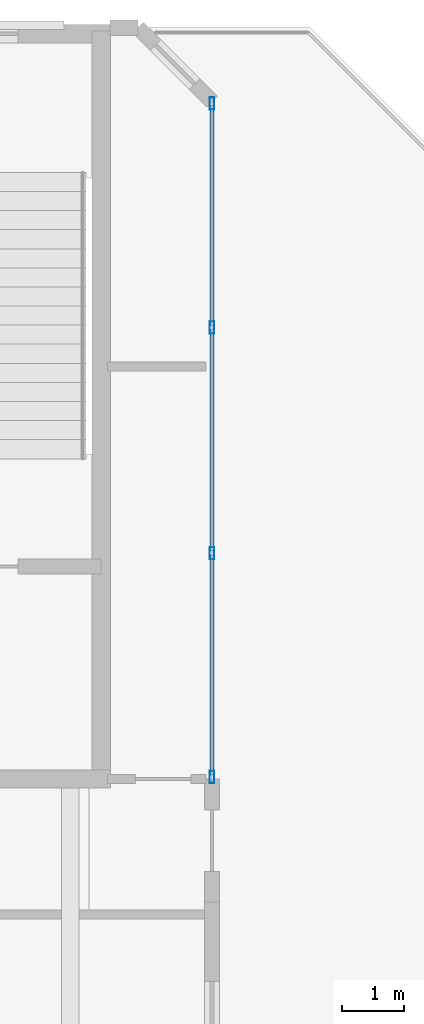
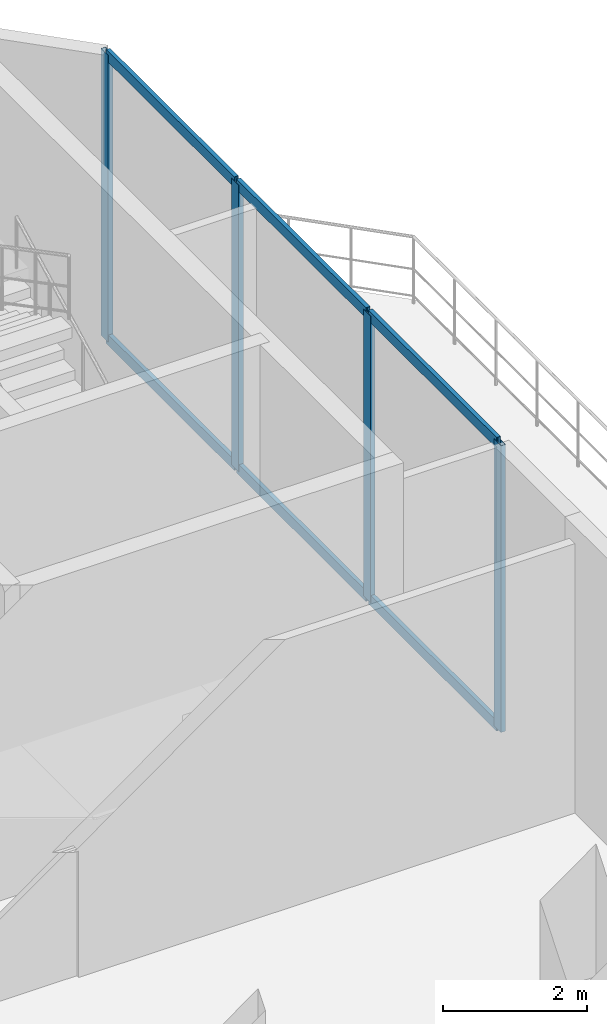
# One storey, part 6 of 11: 10 members, 1 element without a shape of its own.
"""IFC4 building model written with IfcOpenShell, lengths in metres."""

import ifcopenshell
import ifcopenshell.guid

model = None  # the IFC model being written
_history = None  # IfcOwnerHistory: only IFC2X3 demands one
_inside = {}  # id of a spatial element -> (the spatial element, [elements in it])
_under = {}  # id of a project, library or spatial element -> (it, [spatial elements below it])
_declared = {}  # id of a project -> (the project, [libraries it declares])
_typed = {}  # id of a type object -> (the type object, [elements of that type])
_made_of = {}  # id of a material, layer set ... -> (it, [elements and type objects made of it])


def new_model(schema):
    """Start an empty IFC model of exactly this schema.

    Asked for "IFC4X3", IfcOpenShell would pick the latest addendum, in which some entities
    have other attributes; the version numbers below select the first issue.
    IFC2X3 requires an IfcOwnerHistory on every rooted entity: one is made here for all.
    """
    global model, _history
    if schema == "IFC4X3":
        model = ifcopenshell.file(schema_version=(4, 3, 0, 0))
    else:
        model = ifcopenshell.file(schema=schema)
    _inside.clear()
    _under.clear()
    _declared.clear()
    _typed.clear()
    _made_of.clear()
    _history = None
    if model.schema == "IFC2X3":
        org = make("IfcOrganization", Name="unknown")
        user = make(
            "IfcPersonAndOrganization",
            ThePerson=make("IfcPerson", FamilyName="unknown"),
            TheOrganization=org,
        )
        app = make(
            "IfcApplication",
            ApplicationDeveloper=org,
            Version="unknown",
            ApplicationFullName="unknown",
            ApplicationIdentifier="unknown",
        )
        _history = make(
            "IfcOwnerHistory",
            OwningUser=user,
            OwningApplication=app,
            ChangeAction="ADDED",
            CreationDate=0,
        )
    return model


def make(cls, **values):
    """One entity of the class cls with the attributes given. An attribute that is None is left unset."""
    return model.create_entity(
        cls, **{name: value for name, value in values.items() if value is not None}
    )


def rooted(cls, **values):
    """An entity with a GlobalId (a new one), such as an element, a storey or a relation."""
    return make(cls, GlobalId=ifcopenshell.guid.new(), OwnerHistory=_history, **values)


def si_unit(unit_type, name, prefix=None):
    """IfcSIUnit, for example si_unit("LENGTHUNIT", "METRE", prefix="MILLI")."""
    return make("IfcSIUnit", UnitType=unit_type, Prefix=prefix, Name=name)


def assignment(units):
    """IfcUnitAssignment: the units of a project."""
    return None if units is None else make("IfcUnitAssignment", Units=units)


def point(xyz):
    """IfcCartesianPoint."""
    return None if xyz is None else make("IfcCartesianPoint", Coordinates=xyz)


def direction(xyz):
    """IfcDirection."""
    return None if xyz is None else make("IfcDirection", DirectionRatios=xyz)


def frame(location, z_axis=None, x_axis=None):
    """IfcAxis2Placement3D, a coordinate frame: its origin and axes. An axis left out is left unset."""
    return make(
        "IfcAxis2Placement3D",
        Location=point(location),
        Axis=direction(z_axis),
        RefDirection=direction(x_axis),
    )


def frame_2d(location, x_axis=None):
    """IfcAxis2Placement2D, a coordinate frame in the plane: its origin and x axis."""
    return make(
        "IfcAxis2Placement2D", Location=point(location), RefDirection=direction(x_axis)
    )


def origin():
    """The frame at (0, 0, 0) with its axes left unset."""
    return frame((0.0, 0.0, 0.0))


def origin_2d():
    """The frame at (0, 0) in the plane with its x axis left unset."""
    return frame_2d((0.0, 0.0))


def place(relative_to, where):
    """IfcLocalPlacement: puts the frame where relative to a parent placement (None: the world)."""
    return make(
        "IfcLocalPlacement", PlacementRelTo=relative_to, RelativePlacement=where
    )


def context(
    kind, dimensions, precision=None, world=None, true_north=None, identifier=None
):
    """IfcGeometricRepresentationContext, for example the 3D "Model" context."""
    return make(
        "IfcGeometricRepresentationContext",
        ContextIdentifier=identifier,
        ContextType=kind,
        CoordinateSpaceDimension=dimensions,
        Precision=precision,
        WorldCoordinateSystem=world,
        TrueNorth=true_north,
    )


def subcontext(parent, identifier, kind, view, scale=None):
    """IfcGeometricRepresentationSubContext, for example "Body" below "Model"."""
    return make(
        "IfcGeometricRepresentationSubContext",
        ContextIdentifier=identifier,
        ContextType=kind,
        ParentContext=parent,
        TargetScale=scale,
        TargetView=view,
    )


def project(units=None, contexts=None):
    """IfcProject with its units and contexts."""
    return rooted(
        "IfcProject",
        Name="project",
        RepresentationContexts=contexts,
        UnitsInContext=assignment(units),
    )


def spatial(cls, under=None, at=None, **own):
    """A site, building, storey or space (cls), placed at a placement, below another one or the project."""
    s = rooted(cls, ObjectPlacement=at, **own)
    if under is not None:
        _under.setdefault(under.id(), (under, []))[1].append(s)
    return s


def profile(cls, at=None, kind="AREA", **sizes):
    """A parametric profile (cls). Its sizes go by their IFC names, for example OverallWidth=200.0."""
    return make(cls, ProfileType=kind, Position=at, **sizes)


def hollow_rectangle(**sizes):
    """IfcRectangleHollowProfileDef."""
    return profile("IfcRectangleHollowProfileDef", **sizes)


def extrude(swept, where, along, depth):
    """IfcExtrudedAreaSolid: the profile swept, set in the frame where, extruded along a direction by depth."""
    return make(
        "IfcExtrudedAreaSolid",
        SweptArea=swept,
        Position=where,
        ExtrudedDirection=direction(along),
        Depth=depth,
    )


def shape(context_of_items, identifier, shape_type, items):
    """IfcShapeRepresentation: the items that make up one representation, for example the "Body"."""
    return make(
        "IfcShapeRepresentation",
        ContextOfItems=context_of_items,
        RepresentationIdentifier=identifier,
        RepresentationType=shape_type,
        Items=items,
    )


def material(Name=None, Category=None):
    """IfcMaterial."""
    return make("IfcMaterial", Name=Name, Category=Category)


def layer(
    of_material, thickness, ventilated=None, Name=None, Category=None, Priority=None
):
    """IfcMaterialLayer: one layer of a wall or slab, of a material (None: an air gap)."""
    return make(
        "IfcMaterialLayer",
        Material=of_material,
        LayerThickness=thickness,
        IsVentilated=ventilated,
        Name=Name,
        Category=Category,
        Priority=Priority,
    )


def layer_set(layers, Name=None):
    """IfcMaterialLayerSet."""
    return make("IfcMaterialLayerSet", MaterialLayers=layers, LayerSetName=Name)


def material_profile(
    of_material, cross_section, Name=None, Category=None, Priority=None
):
    """IfcMaterialProfile: a cross section and its material."""
    return make(
        "IfcMaterialProfile",
        Name=Name,
        Material=of_material,
        Profile=cross_section,
        Priority=Priority,
        Category=Category,
    )


def profile_set(profiles, Name=None, composite=None):
    """IfcMaterialProfileSet."""
    return make(
        "IfcMaterialProfileSet",
        Name=Name,
        MaterialProfiles=profiles,
        CompositeProfile=composite,
    )


def made_of(thing, what):
    """Note that an element or type object is made of a material, layer set ...; save() writes the relation."""
    if what is not None:
        _made_of.setdefault(what.id(), (what, []))[1].append(thing)
    return thing


def type_object(cls, material=None, **own):
    """A type object (cls), such as IfcWallType, which elements share."""
    return made_of(rooted(cls, **own), material)


def element(
    cls,
    number,
    at=None,
    inside=None,
    cuts=None,
    type_object=None,
    material=None,
    context=None,
    identifier="Body",
    shape_type=None,
    held_by="IfcProductDefinitionShape",
    body=None,
    shapes=None,
    **own,
):
    """One element of the class cls, such as IfcWall. Its Tag is "e" and its number.

    at: its placement. inside: the storey or other place that contains it. cuts: it is an
    opening in that element (IfcRelVoidsElement). A single representation is given by context,
    identifier, shape_type and body (its items); several are given by shapes. held_by: the class
    of the entity that holds the representations. save() writes the other relations.
    """
    e = rooted(cls, Tag="e%d" % number, ObjectPlacement=at, **own)
    if body is not None:
        shapes = [shape(context, identifier, shape_type, body)]
    if shapes is not None:
        e.Representation = make(held_by, Representations=shapes)
    if inside is not None:
        _inside.setdefault(inside.id(), (inside, []))[1].append(e)
    if cuts is not None:
        rooted(
            "IfcRelVoidsElement", RelatingBuildingElement=cuts, RelatedOpeningElement=e
        )
    if type_object is not None:
        _typed.setdefault(type_object.id(), (type_object, []))[1].append(e)
    return made_of(e, material)


def aggregate(whole, parts):
    """IfcRelAggregates: a whole, such as a stair, and the parts it consists of."""
    return rooted("IfcRelAggregates", RelatingObject=whole, RelatedObjects=parts)


def save(model, path):
    """Write the relations noted so far, then the file.

    IfcRelAggregates (storeys below a building ...), IfcRelContainedInSpatialStructure (elements
    in a storey), IfcRelDefinesByType, IfcRelAssociatesMaterial and IfcRelDeclares: one each for
    every whole, place, type object, material and project.
    """
    for whole, parts in _under.values():
        aggregate(whole, parts)
    for where, things in _inside.values():
        rooted(
            "IfcRelContainedInSpatialStructure",
            RelatedElements=things,
            RelatingStructure=where,
        )
    for kind, things in _typed.values():
        rooted("IfcRelDefinesByType", RelatedObjects=things, RelatingType=kind)
    for what, things in _made_of.values():
        rooted("IfcRelAssociatesMaterial", RelatedObjects=things, RelatingMaterial=what)
    for by, libraries in _declared.values():
        rooted("IfcRelDeclares", RelatingContext=by, RelatedDefinitions=libraries)
    model.write(path)


model = new_model("IFC4")

# Units and contexts
model_context = context("Model", 3, precision=1e-05, world=origin(), true_north=direction((0.0, 1.0)))
body_context = subcontext(model_context, "Body", "Model", "MODEL_VIEW")
ifc_project = project(units=[si_unit("LENGTHUNIT", "METRE"), si_unit("AREAUNIT", "SQUARE_METRE"), si_unit("VOLUMEUNIT", "CUBIC_METRE"), si_unit("PLANEANGLEUNIT", "RADIAN"), si_unit("MASSUNIT", "GRAM", prefix="KILO")], contexts=[model_context])

# Site, building, storey
site_placement = place(None, origin())
site = spatial("IfcSite", under=ifc_project, at=site_placement, CompositionType="ELEMENT")
building_placement = place(site_placement, origin())
building = spatial("IfcBuilding", under=site, at=building_placement, Name="Catumbela Crestline Tower", CompositionType="ELEMENT")
storey_placement = place(building_placement, frame((0.0, 0.0, 290.6)))
storey = spatial("IfcBuildingStorey", under=building, at=storey_placement, Name="L75", CompositionType="ELEMENT", Elevation=290.6)

# Curtain wall, members
ifc_material = material(Name="Aluminium alloy AW-6060-T66", Category="aluminium")
ifc_layer = layer(ifc_material, 0.18, Name="Aluminium alloy AW-6060-T66")
ifc_layer_set = layer_set([ifc_layer], Name="Aluminium alloy AW-6060-T66")
curtain_wall_type = type_object("IfcCurtainWallType", Name="CWS-OBS", PredefinedType="USERDEFINED", material=ifc_layer_set)
curtain_wall_placement = place(storey_placement, origin())
curtain_wall = element("IfcCurtainWall", 1, at=curtain_wall_placement, inside=storey, type_object=curtain_wall_type, Name="L75 Stick Curtain Wall CW-L75-E2S2", ObjectType="STICK", PredefinedType="USERDEFINED")
ifc_material_profile_1 = material_profile(ifc_material, hollow_rectangle(XDim=0.075, YDim=0.2, WallThickness=0.005, at=origin_2d()), Name="ALU 200x75x5")
ifc_profile_set_1 = profile_set([ifc_material_profile_1], Name="Aluminium alloy AW-6060-T66")
member_type_1 = type_object("IfcMemberType", Name="MUL-200X75", PredefinedType="MULLION", material=ifc_profile_set_1)
member_1_placement = place(storey_placement, frame((41.8, 30.8325, 0.0), z_axis=(0.0, 0.0, 1.0), x_axis=(-1.0, 0.0, 0.0)))
member_1 = element("IfcMember", 2, at=member_1_placement, type_object=member_type_1, Name="CWS-OBS mullion 1", PredefinedType="MULLION", context=body_context, shape_type="SweptSolid", body=[
    extrude(hollow_rectangle(XDim=0.075, YDim=0.2, WallThickness=0.005, at=origin_2d()), origin(), (0.0, 0.0, 1.0), 4.87),
])
member_2_placement = place(storey_placement, frame((41.8, 34.4667, 0.0), z_axis=(0.0, 0.0, 1.0), x_axis=(-1.0, 0.0, 0.0)))
member_2 = element("IfcMember", 3, at=member_2_placement, type_object=member_type_1, Name="CWS-OBS mullion 2", PredefinedType="MULLION", context=body_context, shape_type="SweptSolid", body=[
    extrude(hollow_rectangle(XDim=0.075, YDim=0.2, WallThickness=0.005, at=origin_2d()), origin(), (0.0, 0.0, 1.0), 4.87),
])
member_3_placement = place(storey_placement, frame((41.8, 38.1333, 0.0), z_axis=(0.0, 0.0, 1.0), x_axis=(-1.0, 0.0, 0.0)))
member_3 = element("IfcMember", 4, at=member_3_placement, type_object=member_type_1, Name="CWS-OBS mullion 3", PredefinedType="MULLION", context=body_context, shape_type="SweptSolid", body=[
    extrude(hollow_rectangle(XDim=0.075, YDim=0.2, WallThickness=0.005, at=origin_2d()), origin(), (0.0, 0.0, 1.0), 4.87),
])
member_4_placement = place(storey_placement, frame((41.8, 41.7675, 0.0), z_axis=(0.0, 0.0, 1.0), x_axis=(-1.0, 0.0, 0.0)))
member_4 = element("IfcMember", 5, at=member_4_placement, type_object=member_type_1, Name="CWS-OBS mullion 4", PredefinedType="MULLION", context=body_context, shape_type="SweptSolid", body=[
    extrude(hollow_rectangle(XDim=0.075, YDim=0.2, WallThickness=0.005, at=origin_2d()), origin(), (0.0, 0.0, 1.0), 4.87),
])
ifc_material_profile_2 = material_profile(ifc_material, hollow_rectangle(XDim=0.065, YDim=0.18, WallThickness=0.004, at=origin_2d()), Name="ALU 180x65x4")
ifc_profile_set_2 = profile_set([ifc_material_profile_2], Name="Aluminium alloy AW-6060-T66")
member_type_2 = type_object("IfcMemberType", Name="TRN-180X65", PredefinedType="USERDEFINED", material=ifc_profile_set_2)
member_5_placement = place(storey_placement, frame((41.8, 30.865, 0.03), z_axis=(0.0, 1.0, 0.0), x_axis=(-1.0, 0.0, 0.0)))
member_5 = element("IfcMember", 6, at=member_5_placement, type_object=member_type_2, Name="CWS-OBS transom 1.1", ObjectType="TRANSOM", PredefinedType="USERDEFINED", context=body_context, shape_type="SweptSolid", body=[
    extrude(hollow_rectangle(XDim=0.065, YDim=0.18, WallThickness=0.004, at=origin_2d()), origin(), (0.0, 0.0, 1.0), 3.5692),
])
member_6_placement = place(storey_placement, frame((41.8, 30.865, 4.84), z_axis=(0.0, 1.0, 0.0), x_axis=(-1.0, 0.0, 0.0)))
member_6 = element("IfcMember", 7, at=member_6_placement, type_object=member_type_2, Name="CWS-OBS transom 1.2", ObjectType="TRANSOM", PredefinedType="USERDEFINED", context=body_context, shape_type="SweptSolid", body=[
    extrude(hollow_rectangle(XDim=0.065, YDim=0.18, WallThickness=0.004, at=origin_2d()), origin(), (0.0, 0.0, 1.0), 3.5692),
])
member_7_placement = place(storey_placement, frame((41.8, 34.4992, 0.03), z_axis=(0.0, 1.0, 0.0), x_axis=(-1.0, 0.0, 0.0)))
member_7 = element("IfcMember", 8, at=member_7_placement, type_object=member_type_2, Name="CWS-OBS transom 2.1", ObjectType="TRANSOM", PredefinedType="USERDEFINED", context=body_context, shape_type="SweptSolid", body=[
    extrude(hollow_rectangle(XDim=0.065, YDim=0.18, WallThickness=0.004, at=origin_2d()), origin(), (0.0, 0.0, 1.0), 3.6016),
])
member_8_placement = place(storey_placement, frame((41.8, 34.4992, 4.84), z_axis=(0.0, 1.0, 0.0), x_axis=(-1.0, 0.0, 0.0)))
member_8 = element("IfcMember", 9, at=member_8_placement, type_object=member_type_2, Name="CWS-OBS transom 2.2", ObjectType="TRANSOM", PredefinedType="USERDEFINED", context=body_context, shape_type="SweptSolid", body=[
    extrude(hollow_rectangle(XDim=0.065, YDim=0.18, WallThickness=0.004, at=origin_2d()), origin(), (0.0, 0.0, 1.0), 3.6016),
])
member_9_placement = place(storey_placement, frame((41.8, 38.1658, 0.03), z_axis=(0.0, 1.0, 0.0), x_axis=(-1.0, 0.0, 0.0)))
member_9 = element("IfcMember", 10, at=member_9_placement, type_object=member_type_2, Name="CWS-OBS transom 3.1", ObjectType="TRANSOM", PredefinedType="USERDEFINED", context=body_context, shape_type="SweptSolid", body=[
    extrude(hollow_rectangle(XDim=0.065, YDim=0.18, WallThickness=0.004, at=origin_2d()), origin(), (0.0, 0.0, 1.0), 3.5692),
])
member_10_placement = place(storey_placement, frame((41.8, 38.1658, 4.84), z_axis=(0.0, 1.0, 0.0), x_axis=(-1.0, 0.0, 0.0)))
member_10 = element("IfcMember", 11, at=member_10_placement, type_object=member_type_2, Name="CWS-OBS transom 3.2", ObjectType="TRANSOM", PredefinedType="USERDEFINED", context=body_context, shape_type="SweptSolid", body=[
    extrude(hollow_rectangle(XDim=0.065, YDim=0.18, WallThickness=0.004, at=origin_2d()), origin(), (0.0, 0.0, 1.0), 3.5692),
])
aggregate(curtain_wall, [member_1, member_2, member_3, member_4, member_5, member_6, member_7, member_8, member_9, member_10])

save(model, "model.ifc")
